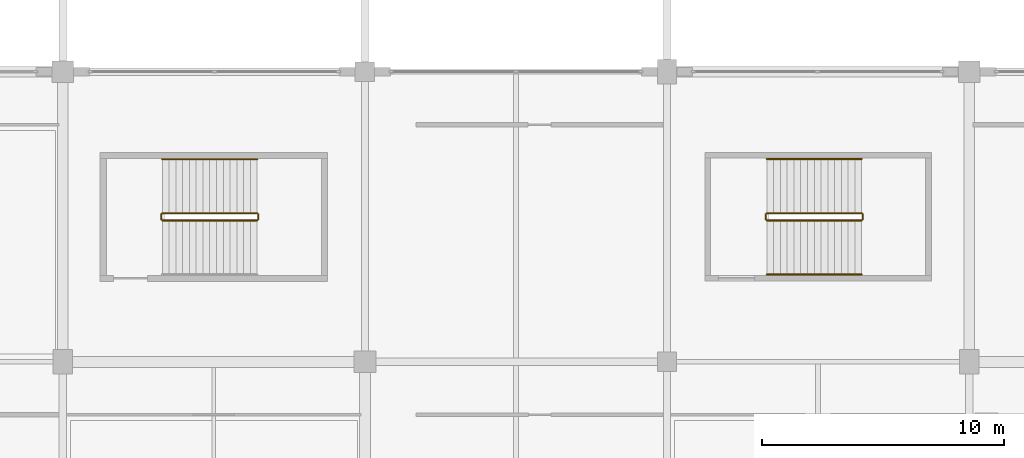
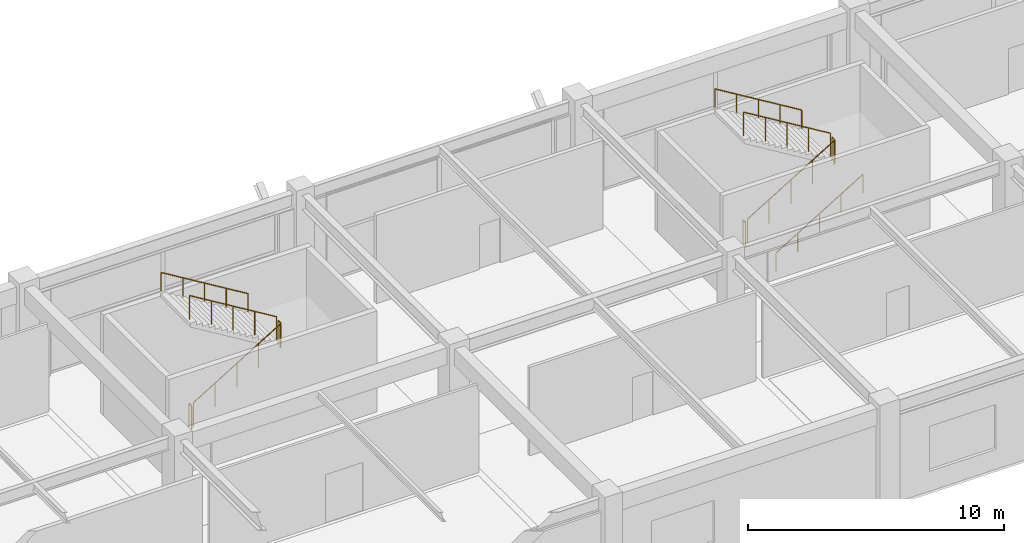
# One storey, part 102 of 116: 11 railings.
"""IFC4 building model written with IfcOpenShell, lengths in metres."""

from ifc_helpers import new_model, si_unit, direction, frame, origin, origin_2d, place, context, subcontext, project, spatial, circle, extrude, material, layer, layer_set, type_object, element, save


model = new_model("IFC4")

# Units and contexts
model_context = context("Model", 3, precision=1e-05, world=origin(), true_north=direction((0.0, 1.0)))
body_context = subcontext(model_context, "Body", "Model", "MODEL_VIEW")
ifc_project = project(units=[si_unit("LENGTHUNIT", "METRE"), si_unit("AREAUNIT", "SQUARE_METRE"), si_unit("VOLUMEUNIT", "CUBIC_METRE"), si_unit("PLANEANGLEUNIT", "RADIAN"), si_unit("MASSUNIT", "GRAM", prefix="KILO")], contexts=[model_context])

# Site, building, storey
site_placement = place(None, origin())
site = spatial("IfcSite", under=ifc_project, at=site_placement, CompositionType="ELEMENT")
building_placement = place(site_placement, origin())
building = spatial("IfcBuilding", under=site, at=building_placement, Name="Kazenohara Klinker Stadium", CompositionType="ELEMENT")
storey_placement = place(building_placement, frame((0.0, 0.0, 10.199951171875)))
storey = spatial("IfcBuildingStorey", under=building, at=storey_placement, Name="L02", CompositionType="ELEMENT", Elevation=10.199951171875)

# Railings
ifc_material_1 = material(Name="Brushed stainless steel 304 handrail", Category="steel")
ifc_layer_1 = layer(ifc_material_1, 0.050048828125)
ifc_layer_set_1 = layer_set([ifc_layer_1], Name="Brushed stainless steel 304 handrail")
railing_type_1 = type_object("IfcRailingType", Name="RL-HND-900", PredefinedType="HANDRAIL", material=ifc_layer_set_1)
railing_1_placement = place(storey_placement, frame((133.0400390625, 32.3798828125, 2.719970703125)))
element("IfcRailing", 1, at=railing_1_placement, inside=storey, type_object=railing_type_1, Name="L02 ST27 stair handrail 2", PredefinedType="HANDRAIL", context=body_context, shape_type="SweptSolid", body=[
    extrude(circle(Radius=0.02392578125, at=origin_2d()), frame((0.0, 0.0, 0.8759765625), z_axis=(-0.854770645689, 0.0, 0.519005918337), x_axis=(0.0, -1.0, 0.0)), (0.0, 0.0, 1.0), 4.5859375),
    extrude(circle(Radius=0.02099609375, at=origin_2d()), origin(), (0.0, 0.0, 1.0), 0.851806640625),
    extrude(circle(Radius=0.02099609375, at=origin_2d()), frame((-0.97998046875, 0.0, 0.594970703125)), (0.0, 0.0, 1.0), 0.851806640625),
    extrude(circle(Radius=0.02099609375, at=origin_2d()), frame((-1.9599609375, 0.0, 1.18994140625)), (0.0, 0.0, 1.0), 0.851806640625),
    extrude(circle(Radius=0.02099609375, at=origin_2d()), frame((-2.93994140625, 0.0, 1.78515625)), (0.0, 0.0, 1.0), 0.851806640625),
    extrude(circle(Radius=0.02099609375, at=origin_2d()), frame((-3.919921875, 0.0, 2.380126953125)), (0.0, 0.0, 1.0), 0.851806640625),
])
railing_2_placement = place(storey_placement, frame((154.1298828125, 27.610107421875, 0.170166015625)))
element("IfcRailing", 2, at=railing_2_placement, inside=storey, type_object=railing_type_1, Name="L02 ST28 stair handrail 1", PredefinedType="HANDRAIL", context=body_context, shape_type="SweptSolid", body=[
    extrude(circle(Radius=0.02392578125, at=origin_2d()), frame((0.0, 0.0, 0.8759765625), z_axis=(0.854808600491, 0.0, 0.518943403973), x_axis=(0.0, 1.0, 0.0)), (0.0, 0.0, 1.0), 4.5859375),
    extrude(circle(Radius=0.02099609375, at=origin_2d()), origin(), (0.0, 0.0, 1.0), 0.851806640625),
    extrude(circle(Radius=0.02099609375, at=origin_2d()), frame((0.97998046875, 0.0, 0.594970703125)), (0.0, 0.0, 1.0), 0.851806640625),
    extrude(circle(Radius=0.02099609375, at=origin_2d()), frame((1.9599609375, 0.0, 1.18994140625)), (0.0, 0.0, 1.0), 0.851806640625),
    extrude(circle(Radius=0.02099609375, at=origin_2d()), frame((2.940185546875, 0.0, 1.784912109375)), (0.0, 0.0, 1.0), 0.851806640625),
    extrude(circle(Radius=0.02099609375, at=origin_2d()), frame((3.920166015625, 0.0, 2.3798828125)), (0.0, 0.0, 1.0), 0.851806640625),
])
railing_3_placement = place(storey_placement, frame((158.050048828125, 32.389892578125, 2.719970703125)))
element("IfcRailing", 3, at=railing_3_placement, inside=storey, type_object=railing_type_1, Name="L02 ST28 stair handrail 2", PredefinedType="HANDRAIL", context=body_context, shape_type="SweptSolid", body=[
    extrude(circle(Radius=0.02392578125, at=origin_2d()), frame((0.0, 0.0, 0.8759765625), z_axis=(-0.854784984964, 0.0, 0.518982301701), x_axis=(0.0, -1.0, 0.0)), (0.0, 0.0, 1.0), 4.586181640625),
    extrude(circle(Radius=0.02099609375, at=origin_2d()), origin(), (0.0, 0.0, 1.0), 0.851806640625),
    extrude(circle(Radius=0.02099609375, at=origin_2d()), frame((-0.97998046875, 0.0, 0.594970703125)), (0.0, 0.0, 1.0), 0.851806640625),
    extrude(circle(Radius=0.02099609375, at=origin_2d()), frame((-1.9599609375, 0.0, 1.18994140625)), (0.0, 0.0, 1.0), 0.851806640625),
    extrude(circle(Radius=0.02099609375, at=origin_2d()), frame((-2.940185546875, 0.0, 1.78515625)), (0.0, 0.0, 1.0), 0.851806640625),
    extrude(circle(Radius=0.02099609375, at=origin_2d()), frame((-3.920166015625, 0.0, 2.380126953125)), (0.0, 0.0, 1.0), 0.851806640625),
])
ifc_material_2 = material(Name="Painted steel stairwell guardrail", Category="steel")
ifc_layer_2 = layer(ifc_material_2, 0.06005859375)
ifc_layer_set_2 = layer_set([ifc_layer_2], Name="Painted steel stairwell guardrail")
railing_type_2 = type_object("IfcRailingType", Name="RL-STG-1120", PredefinedType="GUARDRAIL", material=ifc_layer_set_2)
railing_4_placement = place(storey_placement, frame((129.1201171875, 29.85009765625, 0.170166015625)))
element("IfcRailing", 4, at=railing_4_placement, inside=storey, type_object=railing_type_2, Name="L02 ST27 stair guard 1", PredefinedType="GUARDRAIL", context=body_context, shape_type="SweptSolid", body=[
    extrude(circle(Radius=0.02392578125, at=origin_2d()), frame((0.0, 0.0, 1.1259765625), z_axis=(0.854794262968, 0.0, 0.518967020143), x_axis=(0.0, 1.0, 0.0)), (0.0, 0.0, 1.0), 4.585693359375),
    extrude(circle(Radius=0.02099609375, at=origin_2d()), origin(), (0.0, 0.0, 1.0), 1.101806640625),
    extrude(circle(Radius=0.02099609375, at=origin_2d()), frame((0.97998046875, 0.0, 0.594970703125)), (0.0, 0.0, 1.0), 1.101806640625),
    extrude(circle(Radius=0.02099609375, at=origin_2d()), frame((1.9599609375, 0.0, 1.18994140625)), (0.0, 0.0, 1.0), 1.101806640625),
    extrude(circle(Radius=0.02099609375, at=origin_2d()), frame((2.93994140625, 0.0, 1.784912109375)), (0.0, 0.0, 1.0), 1.101806640625),
    extrude(circle(Radius=0.02099609375, at=origin_2d()), frame((3.919921875, 0.0, 2.3798828125)), (0.0, 0.0, 1.0), 1.101806640625),
])
railing_5_placement = place(storey_placement, frame((133.090087890625, 29.89990234375, 2.550048828125)))
element("IfcRailing", 5, at=railing_5_placement, inside=storey, type_object=railing_type_2, Name="L02 ST27 stair guard 2", PredefinedType="GUARDRAIL", context=body_context, shape_type="SweptSolid", body=[
    extrude(circle(Radius=0.02392578125, at=origin_2d()), frame((0.0, 0.0, 1.1259765625), z_axis=(0.0, 1.0, 0.0), x_axis=(-1.0, 0.0, 0.0)), (0.0, 0.0, 1.0), 0.2001953125),
    extrude(circle(Radius=0.02099609375, at=origin_2d()), origin(), (0.0, 0.0, 1.0), 1.101806640625),
    extrude(circle(Radius=0.02099609375, at=origin_2d()), frame((0.0, 0.2001953125, 0.0)), (0.0, 0.0, 1.0), 1.101806640625),
])
railing_6_placement = place(storey_placement, frame((133.0400390625, 30.14990234375, 2.719970703125)))
element("IfcRailing", 6, at=railing_6_placement, inside=storey, type_object=railing_type_2, Name="L02 ST27 stair guard 3", PredefinedType="GUARDRAIL", context=body_context, shape_type="SweptSolid", body=[
    extrude(circle(Radius=0.02392578125, at=origin_2d()), frame((0.0, 0.0, 1.1259765625), z_axis=(-0.854770645689, 0.0, 0.519005918337), x_axis=(0.0, -1.0, 0.0)), (0.0, 0.0, 1.0), 4.5859375),
    extrude(circle(Radius=0.02099609375, at=origin_2d()), origin(), (0.0, 0.0, 1.0), 1.101806640625),
    extrude(circle(Radius=0.02099609375, at=origin_2d()), frame((-0.97998046875, 0.0, 0.594970703125)), (0.0, 0.0, 1.0), 1.101806640625),
    extrude(circle(Radius=0.02099609375, at=origin_2d()), frame((-1.9599609375, 0.0, 1.18994140625)), (0.0, 0.0, 1.0), 1.101806640625),
    extrude(circle(Radius=0.02099609375, at=origin_2d()), frame((-2.93994140625, 0.0, 1.78515625)), (0.0, 0.0, 1.0), 1.101806640625),
    extrude(circle(Radius=0.02099609375, at=origin_2d()), frame((-3.919921875, 0.0, 2.380126953125)), (0.0, 0.0, 1.0), 1.101806640625),
])
railing_7_placement = place(storey_placement, frame((129.070068359375, 29.89990234375, 0.0)))
element("IfcRailing", 7, at=railing_7_placement, inside=storey, type_object=railing_type_2, Name="L02 ST27 stair guard 4", PredefinedType="GUARDRAIL", context=body_context, shape_type="SweptSolid", body=[
    extrude(circle(Radius=0.02392578125, at=origin_2d()), frame((0.0, 0.0, 1.1259765625), z_axis=(0.0, 1.0, 0.0), x_axis=(-1.0, 0.0, 0.0)), (0.0, 0.0, 1.0), 0.2001953125),
    extrude(circle(Radius=0.02099609375, at=origin_2d()), origin(), (0.0, 0.0, 1.0), 1.101806640625),
    extrude(circle(Radius=0.02099609375, at=origin_2d()), frame((0.0, 0.2001953125, 0.0)), (0.0, 0.0, 1.0), 1.101806640625),
])
railing_8_placement = place(storey_placement, frame((154.1298828125, 29.85009765625, 0.170166015625)))
element("IfcRailing", 8, at=railing_8_placement, inside=storey, type_object=railing_type_2, Name="L02 ST28 stair guard 1", PredefinedType="GUARDRAIL", context=body_context, shape_type="SweptSolid", body=[
    extrude(circle(Radius=0.02392578125, at=origin_2d()), frame((0.0, 0.0, 1.1259765625), z_axis=(0.854808600491, 0.0, 0.518943403973), x_axis=(0.0, 1.0, 0.0)), (0.0, 0.0, 1.0), 4.5859375),
    extrude(circle(Radius=0.02099609375, at=origin_2d()), origin(), (0.0, 0.0, 1.0), 1.101806640625),
    extrude(circle(Radius=0.02099609375, at=origin_2d()), frame((0.97998046875, 0.0, 0.594970703125)), (0.0, 0.0, 1.0), 1.101806640625),
    extrude(circle(Radius=0.02099609375, at=origin_2d()), frame((1.9599609375, 0.0, 1.18994140625)), (0.0, 0.0, 1.0), 1.101806640625),
    extrude(circle(Radius=0.02099609375, at=origin_2d()), frame((2.940185546875, 0.0, 1.784912109375)), (0.0, 0.0, 1.0), 1.101806640625),
    extrude(circle(Radius=0.02099609375, at=origin_2d()), frame((3.920166015625, 0.0, 2.3798828125)), (0.0, 0.0, 1.0), 1.101806640625),
])
railing_9_placement = place(storey_placement, frame((158.10009765625, 29.89990234375, 2.550048828125)))
element("IfcRailing", 9, at=railing_9_placement, inside=storey, type_object=railing_type_2, Name="L02 ST28 stair guard 2", PredefinedType="GUARDRAIL", context=body_context, shape_type="SweptSolid", body=[
    extrude(circle(Radius=0.02392578125, at=origin_2d()), frame((0.0, 0.0, 1.1259765625), z_axis=(0.0, 1.0, 0.0), x_axis=(-1.0, 0.0, 0.0)), (0.0, 0.0, 1.0), 0.2001953125),
    extrude(circle(Radius=0.02099609375, at=origin_2d()), origin(), (0.0, 0.0, 1.0), 1.101806640625),
    extrude(circle(Radius=0.02099609375, at=origin_2d()), frame((0.0, 0.2001953125, 0.0)), (0.0, 0.0, 1.0), 1.101806640625),
])
railing_10_placement = place(storey_placement, frame((158.050048828125, 30.14990234375, 2.719970703125)))
element("IfcRailing", 10, at=railing_10_placement, inside=storey, type_object=railing_type_2, Name="L02 ST28 stair guard 3", PredefinedType="GUARDRAIL", context=body_context, shape_type="SweptSolid", body=[
    extrude(circle(Radius=0.02392578125, at=origin_2d()), frame((0.0, 0.0, 1.1259765625), z_axis=(-0.854784984964, 0.0, 0.518982301701), x_axis=(0.0, -1.0, 0.0)), (0.0, 0.0, 1.0), 4.586181640625),
    extrude(circle(Radius=0.02099609375, at=origin_2d()), origin(), (0.0, 0.0, 1.0), 1.101806640625),
    extrude(circle(Radius=0.02099609375, at=origin_2d()), frame((-0.97998046875, 0.0, 0.594970703125)), (0.0, 0.0, 1.0), 1.101806640625),
    extrude(circle(Radius=0.02099609375, at=origin_2d()), frame((-1.9599609375, 0.0, 1.18994140625)), (0.0, 0.0, 1.0), 1.101806640625),
    extrude(circle(Radius=0.02099609375, at=origin_2d()), frame((-2.940185546875, 0.0, 1.78515625)), (0.0, 0.0, 1.0), 1.101806640625),
    extrude(circle(Radius=0.02099609375, at=origin_2d()), frame((-3.920166015625, 0.0, 2.380126953125)), (0.0, 0.0, 1.0), 1.101806640625),
])
railing_11_placement = place(storey_placement, frame((154.080078125, 29.89990234375, 0.0)))
element("IfcRailing", 11, at=railing_11_placement, inside=storey, type_object=railing_type_2, Name="L02 ST28 stair guard 4", PredefinedType="GUARDRAIL", context=body_context, shape_type="SweptSolid", body=[
    extrude(circle(Radius=0.02392578125, at=origin_2d()), frame((0.0, 0.0, 1.1259765625), z_axis=(0.0, 1.0, 0.0), x_axis=(-1.0, 0.0, 0.0)), (0.0, 0.0, 1.0), 0.2001953125),
    extrude(circle(Radius=0.02099609375, at=origin_2d()), origin(), (0.0, 0.0, 1.0), 1.101806640625),
    extrude(circle(Radius=0.02099609375, at=origin_2d()), frame((0.0, 0.2001953125, 0.0)), (0.0, 0.0, 1.0), 1.101806640625),
])

save(model, "model.ifc")
